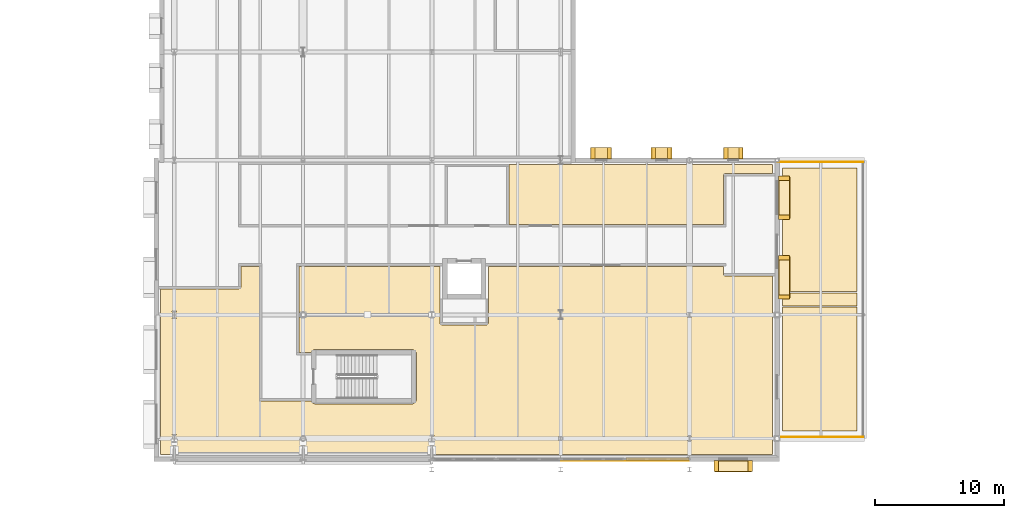
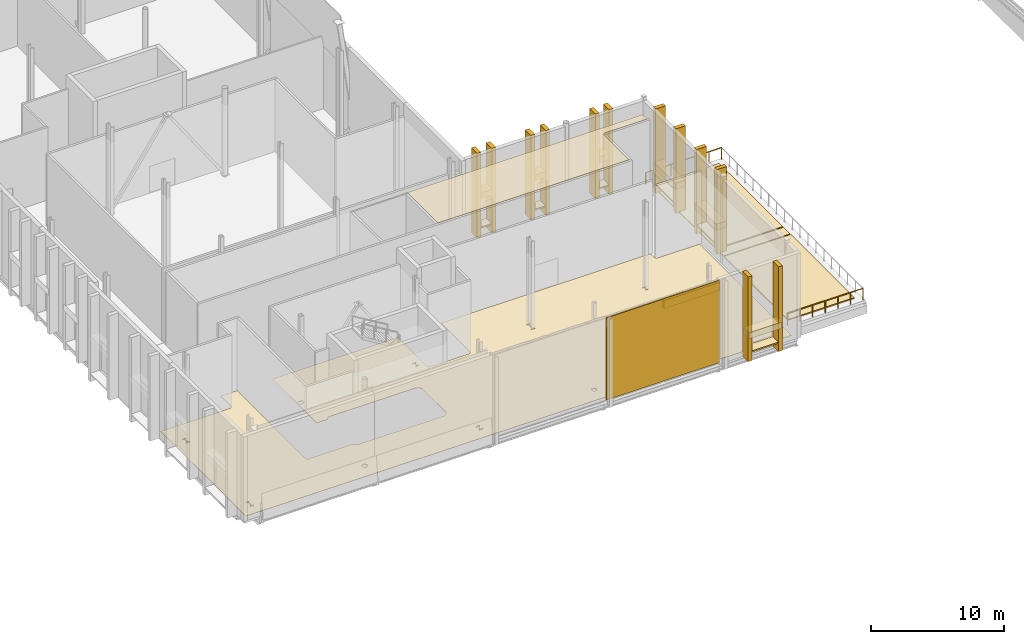
# One storey, part 78 of 79: 30 coverings, 2 railings, 1 shading device.
"""IFC4 building model written with IfcOpenShell, lengths in metres."""

from ifc_helpers import new_model, si_unit, direction, frame, origin, origin_2d, place, context, subcontext, project, spatial, polyline, rectangle, circle, outline, extrude, material, layer, layer_set, type_object, element, save


model = new_model("IFC4")

# Units and contexts
model_context = context("Model", 3, precision=1e-05, world=origin(), true_north=direction((0.0, 1.0)))
body_context = subcontext(model_context, "Body", "Model", "MODEL_VIEW")
ifc_project = project(units=[si_unit("LENGTHUNIT", "METRE"), si_unit("AREAUNIT", "SQUARE_METRE"), si_unit("VOLUMEUNIT", "CUBIC_METRE"), si_unit("PLANEANGLEUNIT", "RADIAN"), si_unit("MASSUNIT", "GRAM", prefix="KILO")], contexts=[model_context])

# Site, building, storey
site_placement = place(None, origin())
site = spatial("IfcSite", under=ifc_project, at=site_placement, CompositionType="ELEMENT")
building_placement = place(site_placement, origin())
building = spatial("IfcBuilding", under=site, at=building_placement, Name="Zereglee Splitstone Museum", CompositionType="ELEMENT")
storey_placement = place(building_placement, frame((0.0, 0.0, 9.0)))
storey = spatial("IfcBuildingStorey", under=building, at=storey_placement, Name="L02", CompositionType="ELEMENT", Elevation=9.0)

# Coverings
ifc_material_1 = material(Name="Perforated acoustic gypsum board ceiling", Category="masonry")
ifc_layer_1 = layer(ifc_material_1, 0.044921875)
ifc_layer_set_1 = layer_set([ifc_layer_1], Name="Perforated acoustic gypsum board ceiling")
covering_type_1 = type_object("IfcCoveringType", Name="CLG-02", PredefinedType="CEILING", material=ifc_layer_set_1)
covering_1_placement = place(storey_placement, frame((0.0, 0.0, 6.655029296875)))
element("IfcCovering", 1, at=covering_1_placement, inside=storey, type_object=covering_type_1, Name="Acoustic Ceiling L02-043", PredefinedType="CEILING", context=body_context, shape_type="SweptSolid", body=[
    extrude(outline(polyline([(221.659912109375, 20.580078125), (218.0, 20.580078125), (217.9990234375, 20.580078125), (217.9833984375, 20.5791015625), (217.9814453125, 20.5791015625), (217.9658203125, 20.57666015625), (217.9638671875, 20.576416015625), (217.94873046875, 20.572509765625), (217.94677734375, 20.572021484375), (217.931884765625, 20.566650390625), (217.93017578125, 20.56591796875), (217.916015625, 20.55908203125), (217.914306640625, 20.558349609375), (217.90087890625, 20.55029296875), (217.899169921875, 20.549072265625), (217.88671875, 20.539794921875), (217.885009765625, 20.53857421875), (217.873291015625, 20.528076171875), (217.8720703125, 20.526611328125), (217.861572265625, 20.514892578125), (217.8603515625, 20.513427734375), (217.850830078125, 20.500732421875), (217.849853515625, 20.499267578125), (217.841796875, 20.485595703125), (217.8408203125, 20.48388671875), (217.833984375, 20.4697265625), (217.833251953125, 20.468017578125), (217.828125, 20.453125), (217.827392578125, 20.451416015625), (217.82373046875, 20.43603515625), (217.8232421875, 20.43408203125), (217.821044921875, 20.418701171875), (217.82080078125, 20.416748046875), (217.820068359375, 20.40087890625), (217.820068359375, 20.39990234375), (217.820068359375, 16.6298828125), (201.179931640625, 16.6298828125), (201.179931640625, 21.260009765625), (221.659912109375, 21.260009765625), (221.659912109375, 20.580078125)])), origin(), (0.0, 0.0, 1.0), 0.044921875),
])
ifc_material_2 = material(Name="Honed Gobi pale limestone stringcourse and soffit cladding", Category="masonry")
ifc_layer_2 = layer(ifc_material_2, 0.070068359375)
ifc_layer_set_2 = layer_set([ifc_layer_2], Name="Honed Gobi pale limestone stringcourse and soffit cladding")
covering_type_2 = type_object("IfcCoveringType", Name="CL-02", PredefinedType="CLADDING", material=ifc_layer_set_2)
covering_2_placement = place(storey_placement, frame((212.719970703125, -1.60009765625, 6.7451171875), z_axis=(0.0, 0.0, 1.0), x_axis=(1.0, 0.0, 0.0)))
element("IfcCovering", 2, at=covering_2_placement, inside=storey, type_object=covering_type_2, Name="Mughal Carved Clerestory Jaali Frieze RC4-CW-L02-103-2", PredefinedType="CLADDING", context=body_context, shape_type="SweptSolid", body=[
    extrude(rectangle(XDim=4.8798828125, YDim=0.239990234375, at=origin_2d()), origin(), (0.0, 0.0, 1.0), 0.75),
])
for number, where, z_axis, x_axis, name in (
    (3, (217.280029296875, -2.14501953125, 0.0), (0.0, 0.0, 1.0), (1.0, 0.0, 0.0), "Mughal Window Reveal Stone Pilaster L02-0067L"),
    (4, (219.919921875, -2.14501953125, 0.0), (0.0, 0.0, 1.0), (1.0, 0.0, 0.0), "Mughal Window Reveal Stone Pilaster L02-0067R"),
):
    element("IfcCovering", number, at=place(storey_placement, frame(where, z_axis=z_axis, x_axis=x_axis)), inside=storey, type_object=covering_type_2, Name=name, PredefinedType="CLADDING", context=body_context, shape_type="SweptSolid", body=[
        extrude(rectangle(XDim=0.340087890625, YDim=0.860107421875, at=origin_2d()), origin(), (0.0, 0.0, 1.0), 7.800048828125),
    ])
covering_3_placement = place(storey_placement, frame((218.60009765625, -2.155029296875, 0.760009765625), z_axis=(0.0, 0.0, 1.0), x_axis=(1.0, 0.0, 0.0)))
element("IfcCovering", 5, at=covering_3_placement, inside=storey, type_object=covering_type_2, Name="Carved Limestone Window Sill L02-0067", PredefinedType="CLADDING", context=body_context, shape_type="SweptSolid", body=[
    extrude(rectangle(XDim=2.840087890625, YDim=0.840087890625, at=origin_2d()), origin(), (0.0, 0.0, 1.0), 0.1201171875),
])
for number, where, z_axis, x_axis, name in (
    (6, (222.544921875, 10.989990234375, 0.0), (0.0, 0.0, 1.0), (0.0, 1.0, 0.0), "Mughal Window Reveal Stone Pilaster L02-0068L"),
    (7, (222.544921875, 14.030029296875, 0.0), (0.0, 0.0, 1.0), (0.0, 1.0, 0.0), "Mughal Window Reveal Stone Pilaster L02-0068R"),
):
    element("IfcCovering", number, at=place(storey_placement, frame(where, z_axis=z_axis, x_axis=x_axis)), inside=storey, type_object=covering_type_2, Name=name, PredefinedType="CLADDING", context=body_context, shape_type="SweptSolid", body=[
        extrude(rectangle(XDim=0.340087890625, YDim=0.860107421875, at=origin_2d()), origin(), (0.0, 0.0, 1.0), 7.800048828125),
    ])
covering_4_placement = place(storey_placement, frame((222.554931640625, 12.510009765625, 0.760009765625), z_axis=(0.0, 0.0, 1.0), x_axis=(0.0, 1.0, 0.0)))
element("IfcCovering", 8, at=covering_4_placement, inside=storey, type_object=covering_type_2, Name="Carved Limestone Window Sill L02-0068", PredefinedType="CLADDING", context=body_context, shape_type="SweptSolid", body=[
    extrude(rectangle(XDim=3.239990234375, YDim=0.840087890625, at=origin_2d()), origin(), (0.0, 0.0, 1.0), 0.1201171875),
])
for number, where, z_axis, x_axis, name in (
    (9, (222.544921875, 17.169921875, 0.0), (0.0, 0.0, 1.0), (0.0, 1.0, 0.0), "Mughal Window Reveal Stone Pilaster L02-0069L"),
    (10, (222.544921875, 20.2099609375, 0.0), (0.0, 0.0, 1.0), (0.0, 1.0, 0.0), "Mughal Window Reveal Stone Pilaster L02-0069R"),
):
    element("IfcCovering", number, at=place(storey_placement, frame(where, z_axis=z_axis, x_axis=x_axis)), inside=storey, type_object=covering_type_2, Name=name, PredefinedType="CLADDING", context=body_context, shape_type="SweptSolid", body=[
        extrude(rectangle(XDim=0.340087890625, YDim=0.860107421875, at=origin_2d()), origin(), (0.0, 0.0, 1.0), 7.800048828125),
    ])
covering_5_placement = place(storey_placement, frame((222.554931640625, 18.68994140625, 0.760009765625), z_axis=(0.0, 0.0, 1.0), x_axis=(0.0, 1.0, 0.0)))
element("IfcCovering", 11, at=covering_5_placement, inside=storey, type_object=covering_type_2, Name="Carved Limestone Window Sill L02-0069", PredefinedType="CLADDING", context=body_context, shape_type="SweptSolid", body=[
    extrude(rectangle(XDim=3.239990234375, YDim=0.840087890625, at=origin_2d()), origin(), (0.0, 0.0, 1.0), 0.1201171875),
])
for number, where, z_axis, x_axis, name in (
    (12, (219.195068359375, 22.14501953125, 0.0), (0.0, 0.0, 1.0), (-1.0, 0.0, 0.0), "Mughal Window Reveal Stone Pilaster L02-0070L"),
    (13, (218.0048828125, 22.14501953125, 0.0), (0.0, 0.0, 1.0), (-1.0, 0.0, 0.0), "Mughal Window Reveal Stone Pilaster L02-0070R"),
):
    element("IfcCovering", number, at=place(storey_placement, frame(where, z_axis=z_axis, x_axis=x_axis)), inside=storey, type_object=covering_type_2, Name=name, PredefinedType="CLADDING", context=body_context, shape_type="SweptSolid", body=[
        extrude(rectangle(XDim=0.340087890625, YDim=0.860107421875, at=origin_2d()), origin(), (0.0, 0.0, 1.0), 7.800048828125),
    ])
covering_6_placement = place(storey_placement, frame((218.60009765625, 22.155029296875, 0.760009765625), z_axis=(0.0, 0.0, 1.0), x_axis=(-1.0, 0.0, 0.0)))
element("IfcCovering", 14, at=covering_6_placement, inside=storey, type_object=covering_type_2, Name="Carved Limestone Window Sill L02-0070", PredefinedType="CLADDING", context=body_context, shape_type="SweptSolid", body=[
    extrude(rectangle(XDim=1.389892578125, YDim=0.840087890625, at=origin_2d()), origin(), (0.0, 0.0, 1.0), 0.1201171875),
])
for number, where, z_axis, x_axis, name in (
    (15, (213.679931640625, 22.14501953125, 0.0), (0.0, 0.0, 1.0), (-1.0, 0.0, 0.0), "Mughal Window Reveal Stone Pilaster L02-0071L"),
    (16, (212.389892578125, 22.14501953125, 0.0), (0.0, 0.0, 1.0), (-1.0, 0.0, 0.0), "Mughal Window Reveal Stone Pilaster L02-0071R"),
):
    element("IfcCovering", number, at=place(storey_placement, frame(where, z_axis=z_axis, x_axis=x_axis)), inside=storey, type_object=covering_type_2, Name=name, PredefinedType="CLADDING", context=body_context, shape_type="SweptSolid", body=[
        extrude(rectangle(XDim=0.340087890625, YDim=0.860107421875, at=origin_2d()), origin(), (0.0, 0.0, 1.0), 7.800048828125),
    ])
covering_7_placement = place(storey_placement, frame((213.034912109375, 22.155029296875, 0.760009765625), z_axis=(0.0, 0.0, 1.0), x_axis=(-1.0, 0.0, 0.0)))
element("IfcCovering", 17, at=covering_7_placement, inside=storey, type_object=covering_type_2, Name="Carved Limestone Window Sill L02-0071", PredefinedType="CLADDING", context=body_context, shape_type="SweptSolid", body=[
    extrude(rectangle(XDim=1.489990234375, YDim=0.840087890625, at=origin_2d()), origin(), (0.0, 0.0, 1.0), 0.1201171875),
])
for number, where, z_axis, x_axis, name in (
    (18, (208.989990234375, 22.14501953125, 0.0), (0.0, 0.0, 1.0), (-1.0, 0.0, 0.0), "Mughal Window Reveal Stone Pilaster L02-0072L"),
    (19, (207.699951171875, 22.14501953125, 0.0), (0.0, 0.0, 1.0), (-1.0, 0.0, 0.0), "Mughal Window Reveal Stone Pilaster L02-0072R"),
):
    element("IfcCovering", number, at=place(storey_placement, frame(where, z_axis=z_axis, x_axis=x_axis)), inside=storey, type_object=covering_type_2, Name=name, PredefinedType="CLADDING", context=body_context, shape_type="SweptSolid", body=[
        extrude(rectangle(XDim=0.340087890625, YDim=0.860107421875, at=origin_2d()), origin(), (0.0, 0.0, 1.0), 7.800048828125),
    ])
covering_8_placement = place(storey_placement, frame((208.344970703125, 22.155029296875, 0.760009765625), z_axis=(0.0, 0.0, 1.0), x_axis=(-1.0, 0.0, 0.0)))
element("IfcCovering", 20, at=covering_8_placement, inside=storey, type_object=covering_type_2, Name="Carved Limestone Window Sill L02-0072", PredefinedType="CLADDING", context=body_context, shape_type="SweptSolid", body=[
    extrude(rectangle(XDim=1.489990234375, YDim=0.840087890625, at=origin_2d()), origin(), (0.0, 0.0, 1.0), 0.1201171875),
])
ifc_material_3 = material(Name="Honed Khoroo red sandstone ventilated rainscreen", Category="masonry")
ifc_layer_3 = layer(ifc_material_3, 0.080078125)
ifc_layer_set_3 = layer_set([ifc_layer_3], Name="Honed Khoroo red sandstone ventilated rainscreen")
covering_type_3 = type_object("IfcCoveringType", Name="CL-01", PredefinedType="CLADDING", material=ifc_layer_set_3)
covering_9_placement = place(storey_placement, frame((218.60009765625, -2.155029296875, 2.06005859375), z_axis=(0.0, 0.0, 1.0), x_axis=(1.0, 0.0, 0.0)))
element("IfcCovering", 21, at=covering_9_placement, inside=storey, type_object=covering_type_3, Name="Pointed-Arch Mughal Window Hood L02-0067", PredefinedType="CLADDING", context=body_context, shape_type="SweptSolid", body=[
    extrude(rectangle(XDim=2.840087890625, YDim=0.860107421875, at=origin_2d()), origin(), (0.0, 0.0, 1.0), 0.580078125),
])
for number, where, z_axis, x_axis, name in (
    (22, (222.554931640625, 12.510009765625, 2.159912109375), (0.0, 0.0, 1.0), (0.0, 1.0, 0.0), "Pointed-Arch Mughal Window Hood L02-0068"),
    (23, (222.554931640625, 18.68994140625, 2.159912109375), (0.0, 0.0, 1.0), (0.0, 1.0, 0.0), "Pointed-Arch Mughal Window Hood L02-0069"),
):
    element("IfcCovering", number, at=place(storey_placement, frame(where, z_axis=z_axis, x_axis=x_axis)), inside=storey, type_object=covering_type_3, Name=name, PredefinedType="CLADDING", context=body_context, shape_type="SweptSolid", body=[
        extrude(rectangle(XDim=3.239990234375, YDim=0.860107421875, at=origin_2d()), origin(), (0.0, 0.0, 1.0), 0.580078125),
    ])
covering_10_placement = place(storey_placement, frame((218.60009765625, 22.155029296875, 3.159912109375), z_axis=(0.0, 0.0, 1.0), x_axis=(-1.0, 0.0, 0.0)))
element("IfcCovering", 24, at=covering_10_placement, inside=storey, type_object=covering_type_3, Name="Pointed-Arch Mughal Window Hood L02-0070", PredefinedType="CLADDING", context=body_context, shape_type="SweptSolid", body=[
    extrude(rectangle(XDim=1.389892578125, YDim=0.860107421875, at=origin_2d()), origin(), (0.0, 0.0, 1.0), 0.580078125),
])
for number, where, z_axis, x_axis, name in (
    (25, (213.034912109375, 22.155029296875, 3.4599609375), (0.0, 0.0, 1.0), (-1.0, 0.0, 0.0), "Pointed-Arch Mughal Window Hood L02-0071"),
    (26, (208.344970703125, 22.155029296875, 3.4599609375), (0.0, 0.0, 1.0), (-1.0, 0.0, 0.0), "Pointed-Arch Mughal Window Hood L02-0072"),
):
    element("IfcCovering", number, at=place(storey_placement, frame(where, z_axis=z_axis, x_axis=x_axis)), inside=storey, type_object=covering_type_3, Name=name, PredefinedType="CLADDING", context=body_context, shape_type="SweptSolid", body=[
        extrude(rectangle(XDim=1.489990234375, YDim=0.860107421875, at=origin_2d()), origin(), (0.0, 0.0, 1.0), 0.580078125),
    ])
ifc_material_4 = material(Name="Honed Gobi granite terrazzo flooring", Category="masonry")
ifc_layer_4 = layer(ifc_material_4, 0.030029296875)
ifc_layer_set_4 = layer_set([ifc_layer_4], Name="Honed Gobi granite terrazzo flooring")
covering_type_4 = type_object("IfcCoveringType", Name="FLR-01", PredefinedType="FLOORING", material=ifc_layer_set_4)
covering_11_placement = place(storey_placement, origin())
element("IfcCovering", 27, at=covering_11_placement, inside=storey, type_object=covering_type_4, Name="Terrazzo Gallery Flooring L02-027", PredefinedType="FLOORING", context=body_context, shape_type="SweptSolid", body=[
    extrude(outline(polyline([(184.8798828125, 13.3701171875), (195.820068359375, 13.3701171875), (195.820068359375, 9.0), (195.820068359375, 8.9990234375), (195.82080078125, 8.9833984375), (195.821044921875, 8.9814453125), (195.8232421875, 8.9658203125), (195.82373046875, 8.9638671875), (195.827392578125, 8.94873046875), (195.828125, 8.94677734375), (195.833251953125, 8.931884765625), (195.833984375, 8.93017578125), (195.8408203125, 8.916015625), (195.841796875, 8.914306640625), (195.849853515625, 8.90087890625), (195.850830078125, 8.899169921875), (195.8603515625, 8.88671875), (195.861572265625, 8.885009765625), (195.8720703125, 8.873291015625), (195.873291015625, 8.8720703125), (195.885009765625, 8.861572265625), (195.88671875, 8.8603515625), (195.899169921875, 8.850830078125), (195.90087890625, 8.849853515625), (195.914306640625, 8.841796875), (195.916015625, 8.8408203125), (195.93017578125, 8.833984375), (195.931884765625, 8.833251953125), (195.94677734375, 8.828125), (195.94873046875, 8.827392578125), (195.9638671875, 8.82373046875), (195.9658203125, 8.8232421875), (195.9814453125, 8.821044921875), (195.9833984375, 8.82080078125), (195.9990234375, 8.820068359375), (196.0, 8.820068359375), (199.39990234375, 8.820068359375), (199.40087890625, 8.820068359375), (199.416748046875, 8.82080078125), (199.418701171875, 8.821044921875), (199.43408203125, 8.8232421875), (199.43603515625, 8.82373046875), (199.451416015625, 8.827392578125), (199.453125, 8.828125), (199.468017578125, 8.833251953125), (199.4697265625, 8.833984375), (199.48388671875, 8.8408203125), (199.485595703125, 8.841796875), (199.499267578125, 8.849853515625), (199.500732421875, 8.850830078125), (199.513427734375, 8.8603515625), (199.514892578125, 8.861572265625), (199.526611328125, 8.8720703125), (199.528076171875, 8.873291015625), (199.53857421875, 8.885009765625), (199.539794921875, 8.88671875), (199.549072265625, 8.899169921875), (199.55029296875, 8.90087890625), (199.558349609375, 8.914306640625), (199.55908203125, 8.916015625), (199.56591796875, 8.93017578125), (199.566650390625, 8.931884765625), (199.572021484375, 8.94677734375), (199.572509765625, 8.94873046875), (199.576416015625, 8.9638671875), (199.57666015625, 8.9658203125), (199.5791015625, 8.9814453125), (199.5791015625, 8.9833984375), (199.580078125, 8.9990234375), (199.580078125, 9.0), (199.580078125, 13.3701171875), (217.820068359375, 13.3701171875), (217.820068359375, 12.800048828125), (217.820068359375, 12.799072265625), (217.82080078125, 12.783203125), (217.821044921875, 12.781494140625), (217.8232421875, 12.765869140625), (217.82373046875, 12.763916015625), (217.827392578125, 12.748779296875), (217.828125, 12.746826171875), (217.833251953125, 12.73193359375), (217.833984375, 12.730224609375), (217.8408203125, 12.716064453125), (217.841796875, 12.71435546875), (217.849853515625, 12.70068359375), (217.850830078125, 12.69921875), (217.8603515625, 12.6865234375), (217.861572265625, 12.68505859375), (217.8720703125, 12.67333984375), (217.873291015625, 12.672119140625), (217.885009765625, 12.66162109375), (217.88671875, 12.660400390625), (217.899169921875, 12.65087890625), (217.90087890625, 12.64990234375), (217.914306640625, 12.6416015625), (217.916015625, 12.640869140625), (217.93017578125, 12.634033203125), (217.931884765625, 12.63330078125), (217.94677734375, 12.628173828125), (217.94873046875, 12.62744140625), (217.9638671875, 12.623779296875), (217.9658203125, 12.623291015625), (217.9814453125, 12.62109375), (217.9833984375, 12.620849609375), (217.9990234375, 12.6201171875), (218.0, 12.6201171875), (221.659912109375, 12.6201171875), (221.659912109375, -1.260009765625), (174.139892578125, -1.260009765625), (174.139892578125, 11.6201171875), (180.199951171875, 11.6201171875), (180.200927734375, 11.6201171875), (180.216796875, 11.620849609375), (180.218505859375, 11.62109375), (180.234130859375, 11.623291015625), (180.236083984375, 11.623779296875), (180.251220703125, 11.62744140625), (180.253173828125, 11.628173828125), (180.26806640625, 11.63330078125), (180.269775390625, 11.634033203125), (180.283935546875, 11.640869140625), (180.28564453125, 11.6416015625), (180.29931640625, 11.64990234375), (180.30078125, 11.65087890625), (180.3134765625, 11.660400390625), (180.31494140625, 11.66162109375), (180.32666015625, 11.672119140625), (180.327880859375, 11.67333984375), (180.33837890625, 11.68505859375), (180.339599609375, 11.6865234375), (180.34912109375, 11.69921875), (180.35009765625, 11.70068359375), (180.3583984375, 11.71435546875), (180.359130859375, 11.716064453125), (180.365966796875, 11.730224609375), (180.36669921875, 11.73193359375), (180.371826171875, 11.746826171875), (180.37255859375, 11.748779296875), (180.376220703125, 11.763916015625), (180.376708984375, 11.765869140625), (180.37890625, 11.781494140625), (180.379150390625, 11.783203125), (180.3798828125, 11.799072265625), (180.3798828125, 11.800048828125), (180.3798828125, 13.3701171875), (181.820068359375, 13.3701171875), (181.820068359375, 3.10009765625), (181.820068359375, 3.09912109375), (181.82080078125, 3.083251953125), (181.821044921875, 3.081298828125), (181.8232421875, 3.06591796875), (181.82373046875, 3.06396484375), (181.827392578125, 3.048583984375), (181.828125, 3.046875), (181.833251953125, 3.031982421875), (181.833984375, 3.0302734375), (181.8408203125, 3.01611328125), (181.841796875, 3.014404296875), (181.849853515625, 3.000732421875), (181.850830078125, 2.999267578125), (181.8603515625, 2.986572265625), (181.861572265625, 2.985107421875), (181.8720703125, 2.973388671875), (181.873291015625, 2.971923828125), (181.885009765625, 2.96142578125), (181.88671875, 2.960205078125), (181.899169921875, 2.950927734375), (181.90087890625, 2.94970703125), (181.914306640625, 2.941650390625), (181.916015625, 2.94091796875), (181.93017578125, 2.93408203125), (181.931884765625, 2.933349609375), (181.94677734375, 2.927978515625), (181.94873046875, 2.927490234375), (181.9638671875, 2.923583984375), (181.9658203125, 2.92333984375), (181.9814453125, 2.9208984375), (181.9833984375, 2.9208984375), (181.9990234375, 2.919921875), (182.0, 2.919921875), (185.821044921875, 2.919921875), (185.82958984375, 2.902099609375), (185.850830078125, 2.86669921875), (185.875244140625, 2.83349609375), (185.903076171875, 2.802978515625), (185.93359375, 2.775390625), (185.966796875, 2.750732421875), (186.001953125, 2.7294921875), (186.039306640625, 2.7119140625), (186.078125, 2.697998046875), (186.1181640625, 2.68798828125), (186.15869140625, 2.681884765625), (186.199951171875, 2.679931640625), (193.60009765625, 2.679931640625), (193.64111328125, 2.681884765625), (193.681884765625, 2.68798828125), (193.721923828125, 2.697998046875), (193.7607421875, 2.7119140625), (193.798095703125, 2.7294921875), (193.833251953125, 2.750732421875), (193.866455078125, 2.775390625), (193.89697265625, 2.802978515625), (193.9248046875, 2.83349609375), (193.94921875, 2.86669921875), (193.970458984375, 2.902099609375), (193.988037109375, 2.939208984375), (194.001953125, 2.97802734375), (194.011962890625, 3.01806640625), (194.01806640625, 3.058837890625), (194.02001953125, 3.10009765625), (194.02001953125, 6.5), (194.01806640625, 6.541259765625), (194.011962890625, 6.581787109375), (194.001953125, 6.621826171875), (193.988037109375, 6.66064453125), (193.970458984375, 6.697998046875), (193.94921875, 6.7333984375), (193.9248046875, 6.766357421875), (193.89697265625, 6.797119140625), (193.866455078125, 6.82470703125), (193.833251953125, 6.84912109375), (193.798095703125, 6.870361328125), (193.7607421875, 6.887939453125), (193.721923828125, 6.90185546875), (193.681884765625, 6.911865234375), (193.64111328125, 6.91796875), (193.60009765625, 6.919921875), (186.199951171875, 6.919921875), (186.15869140625, 6.91796875), (186.1181640625, 6.911865234375), (186.078125, 6.90185546875), (186.039306640625, 6.887939453125), (186.001953125, 6.870361328125), (185.966796875, 6.84912109375), (185.93359375, 6.82470703125), (185.903076171875, 6.797119140625), (185.875244140625, 6.766357421875), (185.850830078125, 6.7333984375), (185.82958984375, 6.697998046875), (185.821044921875, 6.679931640625), (184.8798828125, 6.679931640625), (184.8798828125, 13.3701171875)]), holes=[polyline([(175.35791015625, 0.30810546875), (175.0419921875, 0.30810546875), (175.0419921875, 0.261962890625), (175.18408203125, 0.261962890625), (175.18408203125, -0.261962890625), (175.0419921875, -0.261962890625), (175.0419921875, -0.30810546875), (175.35791015625, -0.30810546875), (175.35791015625, -0.261962890625), (175.2158203125, -0.261962890625), (175.2158203125, 0.261962890625), (175.35791015625, 0.261962890625), (175.35791015625, 0.30810546875)]), polyline([(195.35791015625, 0.258056640625), (195.0419921875, 0.258056640625), (195.0419921875, 0.214111328125), (195.184814453125, 0.214111328125), (195.184814453125, -0.214111328125), (195.0419921875, -0.214111328125), (195.0419921875, -0.258056640625), (195.35791015625, -0.258056640625), (195.35791015625, -0.214111328125), (195.215087890625, -0.214111328125), (195.215087890625, 0.214111328125), (195.35791015625, 0.214111328125), (195.35791015625, 0.258056640625)]), polyline([(205.0419921875, 0.157958984375), (205.0419921875, -0.157958984375), (205.35791015625, -0.157958984375), (205.35791015625, 0.157958984375), (205.0419921875, 0.157958984375)]), polyline([(215.35791015625, 0.2080078125), (215.0419921875, 0.2080078125), (215.0419921875, 0.16796875), (215.185302734375, 0.16796875), (215.185302734375, -0.16796875), (215.0419921875, -0.16796875), (215.0419921875, -0.2080078125), (215.35791015625, -0.2080078125), (215.35791015625, -0.16796875), (215.214599609375, -0.16796875), (215.214599609375, 0.16796875), (215.35791015625, 0.16796875), (215.35791015625, 0.2080078125)]), polyline([(185.28076171875, -0.195068359375), (185.3173828125, -0.175537109375), (185.349365234375, -0.1494140625), (185.37548828125, -0.1171875), (185.39501953125, -0.080810546875), (185.406982421875, -0.041259765625), (185.4111328125, 0.0), (185.406982421875, 0.041259765625), (185.39501953125, 0.080810546875), (185.37548828125, 0.1171875), (185.349365234375, 0.1494140625), (185.3173828125, 0.175537109375), (185.28076171875, 0.195068359375), (185.2412109375, 0.20703125), (185.199951171875, 0.211181640625), (185.15869140625, 0.20703125), (185.119140625, 0.195068359375), (185.082763671875, 0.175537109375), (185.05078125, 0.1494140625), (185.0244140625, 0.1171875), (185.0048828125, 0.080810546875), (184.992919921875, 0.041259765625), (184.98876953125, 0.0), (184.992919921875, -0.041259765625), (185.0048828125, -0.080810546875), (185.0244140625, -0.1171875), (185.05078125, -0.1494140625), (185.082763671875, -0.175537109375), (185.119140625, -0.195068359375), (185.15869140625, -0.20703125), (185.199951171875, -0.211181640625), (185.2412109375, -0.20703125), (185.28076171875, -0.195068359375)]), polyline([(185.01708984375, 9.782958984375), (185.01708984375, 9.4169921875), (185.383056640625, 9.4169921875), (185.383056640625, 9.782958984375), (185.01708984375, 9.782958984375)]), polyline([(215.35791015625, 9.7880859375), (215.0419921875, 9.7880859375), (215.0419921875, 9.74951171875), (215.185791015625, 9.74951171875), (215.185791015625, 9.450439453125), (215.0419921875, 9.450439453125), (215.0419921875, 9.412109375), (215.35791015625, 9.412109375), (215.35791015625, 9.450439453125), (215.214111328125, 9.450439453125), (215.214111328125, 9.74951171875), (215.35791015625, 9.74951171875), (215.35791015625, 9.7880859375)]), polyline([(175.35791015625, 9.883056640625), (175.0419921875, 9.883056640625), (175.0419921875, 9.837890625), (175.1845703125, 9.837890625), (175.1845703125, 9.362060546875), (175.0419921875, 9.362060546875), (175.0419921875, 9.31689453125), (175.35791015625, 9.31689453125), (175.35791015625, 9.362060546875), (175.215576171875, 9.362060546875), (175.215576171875, 9.837890625), (175.35791015625, 9.837890625), (175.35791015625, 9.883056640625)]), polyline([(205.35791015625, 9.9580078125), (205.0419921875, 9.9580078125), (205.0419921875, 9.909912109375), (205.18359375, 9.909912109375), (205.18359375, 9.2900390625), (205.0419921875, 9.2900390625), (205.0419921875, 9.241943359375), (205.35791015625, 9.241943359375), (205.35791015625, 9.2900390625), (205.216552734375, 9.2900390625), (205.216552734375, 9.909912109375), (205.35791015625, 9.909912109375), (205.35791015625, 9.9580078125)]), polyline([(195.35791015625, 9.791015625), (195.35791015625, 9.8330078125), (195.0419921875, 9.8330078125), (195.0419921875, 9.791015625), (195.18505859375, 9.791015625), (195.18505859375, 9.408935546875), (195.0419921875, 9.408935546875), (195.0419921875, 9.366943359375), (195.35791015625, 9.366943359375), (195.35791015625, 9.408935546875), (195.215087890625, 9.408935546875), (195.215087890625, 9.791015625), (195.35791015625, 9.791015625)])]), origin(), (0.0, 0.0, 1.0), 0.030029296875),
])

# Railings
ifc_material_5 = material(Name="Brushed stainless steel 1.4404 post-and-rail guard", Category="steel")
railing_type = type_object("IfcRailingType", Name="GR-01", PredefinedType="GUARDRAIL", material=ifc_material_5)
railing_1_placement = place(storey_placement, frame((222.080078125, 0.1201171875, 0.0)))
element("IfcRailing", 28, at=railing_1_placement, inside=storey, type_object=railing_type, Name="Outdoor Terrace Guard TER-L02-S1-1", PredefinedType="GUARDRAIL", context=body_context, shape_type="SweptSolid", body=[
    extrude(circle(Radius=0.02392578125, at=origin_2d()), frame((0.0, 0.0, 1.076416015625), z_axis=(1.0, 0.0, 0.0), x_axis=(0.0, 1.0, 0.0)), (0.0, 0.0, 1.0), 6.599853515625),
    extrude(circle(Radius=0.02099609375, at=origin_2d()), origin(), (0.0, 0.0, 1.0), 1.052001953125),
    extrude(circle(Radius=0.02099609375, at=origin_2d()), frame((1.10009765625, 0.0, 0.0)), (0.0, 0.0, 1.0), 1.052001953125),
    extrude(circle(Radius=0.02099609375, at=origin_2d()), frame((2.199951171875, 0.0, 0.0)), (0.0, 0.0, 1.0), 1.052001953125),
    extrude(circle(Radius=0.02099609375, at=origin_2d()), frame((3.2998046875, 0.0, 0.0)), (0.0, 0.0, 1.0), 1.052001953125),
    extrude(circle(Radius=0.02099609375, at=origin_2d()), frame((4.39990234375, 0.0, 0.0)), (0.0, 0.0, 1.0), 1.052001953125),
    extrude(circle(Radius=0.02099609375, at=origin_2d()), frame((5.5, 0.0, 0.0)), (0.0, 0.0, 1.0), 1.052001953125),
    extrude(circle(Radius=0.02099609375, at=origin_2d()), frame((6.599853515625, 0.0, 0.0)), (0.0, 0.0, 1.0), 1.052001953125),
])
railing_2_placement = place(storey_placement, frame((228.679931640625, 21.47998046875, 0.0)))
element("IfcRailing", 29, at=railing_2_placement, inside=storey, type_object=railing_type, Name="Outdoor Terrace Guard TER-L02-S1-3", PredefinedType="GUARDRAIL", context=body_context, shape_type="SweptSolid", body=[
    extrude(circle(Radius=0.02392578125, at=origin_2d()), frame((0.0, 0.0, 1.076416015625), z_axis=(-1.0, 0.0, 0.0), x_axis=(0.0, -1.0, 0.0)), (0.0, 0.0, 1.0), 6.599853515625),
    extrude(circle(Radius=0.02099609375, at=origin_2d()), origin(), (0.0, 0.0, 1.0), 1.052001953125),
    extrude(circle(Radius=0.02099609375, at=origin_2d()), frame((-1.10009765625, 0.0, 0.0)), (0.0, 0.0, 1.0), 1.052001953125),
    extrude(circle(Radius=0.02099609375, at=origin_2d()), frame((-2.199951171875, 0.0, 0.0)), (0.0, 0.0, 1.0), 1.052001953125),
    extrude(circle(Radius=0.02099609375, at=origin_2d()), frame((-3.2998046875, 0.0, 0.0)), (0.0, 0.0, 1.0), 1.052001953125),
    extrude(circle(Radius=0.02099609375, at=origin_2d()), frame((-4.39990234375, 0.0, 0.0)), (0.0, 0.0, 1.0), 1.052001953125),
    extrude(circle(Radius=0.02099609375, at=origin_2d()), frame((-5.5, 0.0, 0.0)), (0.0, 0.0, 1.0), 1.052001953125),
    extrude(circle(Radius=0.02099609375, at=origin_2d()), frame((-6.599853515625, 0.0, 0.0)), (0.0, 0.0, 1.0), 1.052001953125),
])

# Shading device
ifc_material_6 = material(Name="Patinated architectural bronze CuSn8 geometric jali screen")
ifc_layer_5 = layer(ifc_material_6, 0.06005859375)
ifc_layer_set_5 = layer_set([ifc_layer_5], Name="Patinated architectural bronze CuSn8 geometric jali screen")
shading_device_type = type_object("IfcShadingDeviceType", Name="JL-01", PredefinedType="USERDEFINED", material=ifc_layer_set_5)
shading_device_placement = place(storey_placement, frame((205.25, -1.679931640625, 0.1201171875), z_axis=(0.0, -1.0, 0.0), x_axis=(1.0, 0.0, 0.0)))
element("IfcShadingDevice", 30, at=shading_device_placement, inside=storey, type_object=shading_device_type, Name="Bronze Mughal Jali Screen 20", ObjectType="SCREEN", PredefinedType="USERDEFINED", context=body_context, shape_type="SweptSolid", body=[
    extrude(outline(polyline([(0.0, 0.0), (9.89990234375, 0.0), (9.89990234375, 7.559814453125), (0.0, 7.559814453125), (0.0, 0.0)])), origin(), (0.0, 0.0, 1.0), 0.06005859375),
])

# Coverings
ifc_material_7 = material(Name="Carved pale Gobi limestone charbagh channel trim", Category="masonry")
ifc_layer_6 = layer(ifc_material_7, 0.080078125)
ifc_layer_set_6 = layer_set([ifc_layer_6], Name="Carved pale Gobi limestone charbagh channel trim")
covering_type_5 = type_object("IfcCoveringType", Name="CHB-01", PredefinedType="FLOORING", material=ifc_layer_set_6)
covering_12_placement = place(storey_placement, origin())
element("IfcCovering", 31, at=covering_12_placement, inside=storey, type_object=covering_type_5, Name="Charbagh Stone Terrace Parterre CHB-TER-S1", PredefinedType="FLOORING", context=body_context, shape_type="SweptSolid", body=[
    extrude(outline(polyline([(222.39990234375, 10.300048828125), (228.199951171875, 10.300048828125), (228.199951171875, 11.300048828125), (222.39990234375, 11.300048828125), (222.39990234375, 10.300048828125)])), origin(), (0.0, 0.0, 1.0), 0.080078125),
])
ifc_material_8 = material(Name="Flamed Gobi grey granite terrace paving", Category="masonry")
ifc_layer_7 = layer(ifc_material_8, 0.10009765625)
ifc_layer_set_7 = layer_set([ifc_layer_7], Name="Flamed Gobi grey granite terrace paving")
covering_type_6 = type_object("IfcCoveringType", Name="PAV-01", PredefinedType="FLOORING", material=ifc_layer_set_7)
covering_13_placement = place(storey_placement, origin())
element("IfcCovering", 32, at=covering_13_placement, inside=storey, type_object=covering_type_6, Name="Charbagh Stone Terrace Parterre PAV-TER-S1-S", PredefinedType="FLOORING", context=body_context, shape_type="SweptSolid", body=[
    extrude(outline(polyline([(222.39990234375, 0.60009765625), (228.199951171875, 0.60009765625), (228.199951171875, 10.199951171875), (222.39990234375, 10.199951171875), (222.39990234375, 0.60009765625)])), origin(), (0.0, 0.0, 1.0), 0.10009765625),
])
ifc_material_9 = material(Name="Riven Khoroo red sandstone charbagh terrace paving", Category="masonry")
ifc_layer_8 = layer(ifc_material_9, 0.090087890625)
ifc_layer_set_8 = layer_set([ifc_layer_8], Name="Riven Khoroo red sandstone charbagh terrace paving")
covering_type_7 = type_object("IfcCoveringType", Name="PAV-02", PredefinedType="FLOORING", material=ifc_layer_set_8)
covering_14_placement = place(storey_placement, origin())
element("IfcCovering", 33, at=covering_14_placement, inside=storey, type_object=covering_type_7, Name="Charbagh Stone Terrace Parterre PAV-TER-S1-N", PredefinedType="FLOORING", context=body_context, shape_type="SweptSolid", body=[
    extrude(outline(polyline([(222.39990234375, 11.39990234375), (228.199951171875, 11.39990234375), (228.199951171875, 21.0), (222.39990234375, 21.0), (222.39990234375, 11.39990234375)])), origin(), (0.0, 0.0, 1.0), 0.090087890625),
])

save(model, "model.ifc")
